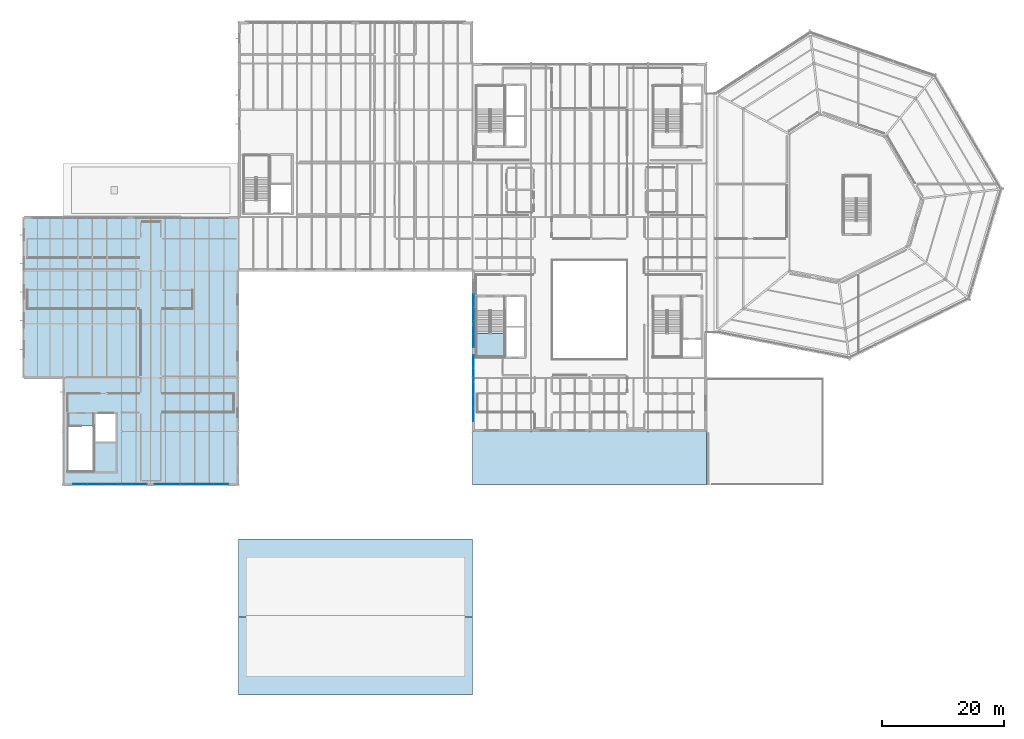
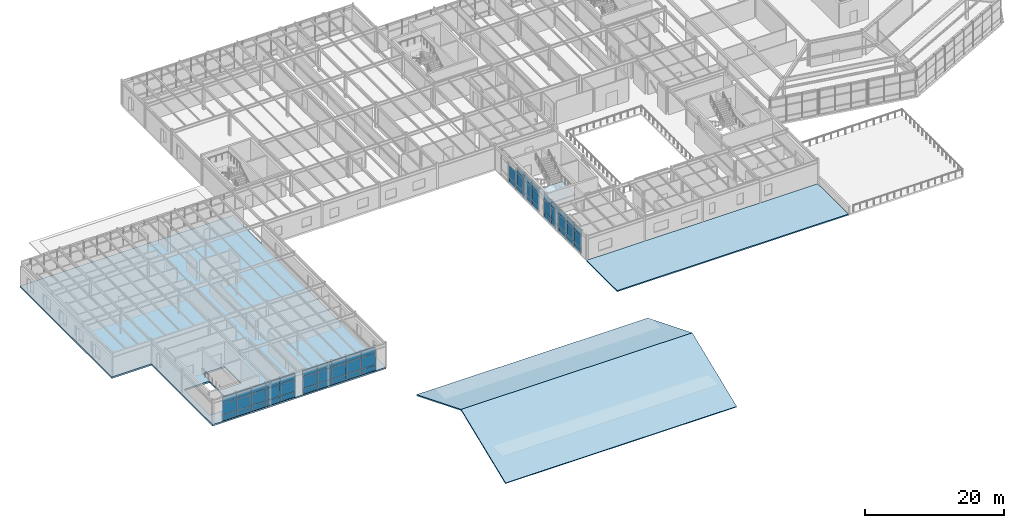
# One storey, part 38 of 69: 56 plates, 5 slabs, 5 elements without a shape of their own.
"""IFC4 building model written with IfcOpenShell, lengths in metres."""

from ifc_helpers import new_model, si_unit, direction, frame, origin, origin_2d, place, context, subcontext, project, spatial, polyline, rectangle, outline, extrude, material, layer, layer_set, type_object, element, aggregate, save


model = new_model("IFC4")

# Units and contexts
model_context = context("Model", 3, precision=1e-05, world=origin(), true_north=direction((0.0, 1.0)))
body_context = subcontext(model_context, "Body", "Model", "MODEL_VIEW")
ifc_project = project(units=[si_unit("LENGTHUNIT", "METRE"), si_unit("AREAUNIT", "SQUARE_METRE"), si_unit("VOLUMEUNIT", "CUBIC_METRE"), si_unit("PLANEANGLEUNIT", "RADIAN"), si_unit("MASSUNIT", "GRAM", prefix="KILO")], contexts=[model_context])

# Site, building, storey
site_placement = place(None, origin())
site = spatial("IfcSite", under=ifc_project, at=site_placement, CompositionType="ELEMENT")
building_placement = place(site_placement, origin())
building = spatial("IfcBuilding", under=site, at=building_placement, Name="Sarnbrook Museum", CompositionType="ELEMENT")
storey_placement = place(building_placement, frame((0.0, 0.0, 14.60009765625)))
storey = spatial("IfcBuildingStorey", under=building, at=storey_placement, Name="L03", CompositionType="ELEMENT", Elevation=14.60009765625)

# Curtain wall, plates
ifc_material_1 = material(Name="Thermally Broken Anodised Aluminium 6063-T6", Category="aluminium")
curtain_wall_type = type_object("IfcCurtainWallType", Name="CurtainWall_GalleryRibbon", PredefinedType="NOTDEFINED", material=ifc_material_1)
curtain_wall_1_placement = place(storey_placement, origin())
curtain_wall_1 = element("IfcCurtainWall", 1, at=curtain_wall_1_placement, inside=storey, type_object=curtain_wall_type, Name="Gallery Ribbon Curtain Wall L03-2.1", PredefinedType="NOTDEFINED")
ifc_material_2 = material(Name="Double-Glazed Low-Iron Laminated Safety Glass", Category="glass")
ifc_layer_1 = layer(ifc_material_2, 0.031982421875)
ifc_layer_set_1 = layer_set([ifc_layer_1], Name="Double-Glazed Low-Iron Laminated Safety Glass")
plate_type_1 = type_object("IfcPlateType", Name="CW_GlazedPanel_32", PredefinedType="CURTAIN_PANEL", material=ifc_layer_set_1)
plate_1_placement = place(storey_placement, frame((80.98779296875, 69.491943359375, 1.949951171875), z_axis=(-1.0, 0.0, 0.0), x_axis=(0.0, -1.0, 0.0)))
plate_1 = element("IfcPlate", 2, at=plate_1_placement, type_object=plate_type_1, Name="Gallery Ribbon Curtain Wall L03-2.1 Glazed Panel 2-2", PredefinedType="CURTAIN_PANEL", context=body_context, shape_type="SweptSolid", body=[
    extrude(rectangle(XDim=2.116943359375, YDim=2.030029296875, at=origin_2d()), origin(), (0.0, 0.0, 1.0), 0.031982421875),
])
plate_2_placement = place(storey_placement, frame((80.98779296875, 67.300048828125, 1.949951171875), z_axis=(-1.0, 0.0, 0.0), x_axis=(0.0, -1.0, 0.0)))
plate_2 = element("IfcPlate", 3, at=plate_2_placement, type_object=plate_type_1, Name="Gallery Ribbon Curtain Wall L03-2.1 Glazed Panel 3-2", PredefinedType="CURTAIN_PANEL", context=body_context, shape_type="SweptSolid", body=[
    extrude(rectangle(XDim=2.116943359375, YDim=2.030029296875, at=origin_2d()), origin(), (0.0, 0.0, 1.0), 0.031982421875),
])
plate_3_placement = place(storey_placement, frame((80.98779296875, 67.300048828125, 3.579833984375), z_axis=(-1.0, 0.0, 0.0), x_axis=(0.0, -1.0, 0.0)))
plate_3 = element("IfcPlate", 4, at=plate_3_placement, type_object=plate_type_1, Name="Gallery Ribbon Curtain Wall L03-2.1 Glazed Panel 3-3", PredefinedType="CURTAIN_PANEL", context=body_context, shape_type="SweptSolid", body=[
    extrude(rectangle(XDim=2.116943359375, YDim=1.090087890625, at=origin_2d()), origin(), (0.0, 0.0, 1.0), 0.031982421875),
])
plate_4_placement = place(storey_placement, frame((80.98779296875, 65.10791015625, 1.949951171875), z_axis=(-1.0, 0.0, 0.0), x_axis=(0.0, -1.0, 0.0)))
plate_4 = element("IfcPlate", 5, at=plate_4_placement, type_object=plate_type_1, Name="Gallery Ribbon Curtain Wall L03-2.1 Glazed Panel 4-2", PredefinedType="CURTAIN_PANEL", context=body_context, shape_type="SweptSolid", body=[
    extrude(rectangle(XDim=2.116943359375, YDim=2.030029296875, at=origin_2d()), origin(), (0.0, 0.0, 1.0), 0.031982421875),
])
plate_5_placement = place(storey_placement, frame((80.98779296875, 65.10791015625, 3.579833984375), z_axis=(-1.0, 0.0, 0.0), x_axis=(0.0, -1.0, 0.0)))
plate_5 = element("IfcPlate", 6, at=plate_5_placement, type_object=plate_type_1, Name="Gallery Ribbon Curtain Wall L03-2.1 Glazed Panel 4-3", PredefinedType="CURTAIN_PANEL", context=body_context, shape_type="SweptSolid", body=[
    extrude(rectangle(XDim=2.116943359375, YDim=1.090087890625, at=origin_2d()), origin(), (0.0, 0.0, 1.0), 0.031982421875),
])
plate_6_placement = place(storey_placement, frame((80.98779296875, 62.916015625, 1.949951171875), z_axis=(-1.0, 0.0, 0.0), x_axis=(0.0, -1.0, 0.0)))
plate_6 = element("IfcPlate", 7, at=plate_6_placement, type_object=plate_type_1, Name="Gallery Ribbon Curtain Wall L03-2.1 Glazed Panel 5-2", PredefinedType="CURTAIN_PANEL", context=body_context, shape_type="SweptSolid", body=[
    extrude(rectangle(XDim=2.116943359375, YDim=2.030029296875, at=origin_2d()), origin(), (0.0, 0.0, 1.0), 0.031982421875),
])
plate_7_placement = place(storey_placement, frame((80.98779296875, 62.916015625, 3.579833984375), z_axis=(-1.0, 0.0, 0.0), x_axis=(0.0, -1.0, 0.0)))
plate_7 = element("IfcPlate", 8, at=plate_7_placement, type_object=plate_type_1, Name="Gallery Ribbon Curtain Wall L03-2.1 Glazed Panel 5-3", PredefinedType="CURTAIN_PANEL", context=body_context, shape_type="SweptSolid", body=[
    extrude(rectangle(XDim=2.116943359375, YDim=1.090087890625, at=origin_2d()), origin(), (0.0, 0.0, 1.0), 0.031982421875),
])

curtain_wall_2_placement = place(storey_placement, origin())
curtain_wall_2 = element("IfcCurtainWall", 9, at=curtain_wall_2_placement, inside=storey, type_object=curtain_wall_type, Name="Gallery Ribbon Curtain Wall L03-2.2", PredefinedType="NOTDEFINED")
plate_8_placement = place(storey_placement, frame((80.98779296875, 59.48388671875, 1.949951171875), z_axis=(-1.0, 0.0, 0.0), x_axis=(0.0, -1.0, 0.0)))
plate_8 = element("IfcPlate", 10, at=plate_8_placement, type_object=plate_type_1, Name="Gallery Ribbon Curtain Wall L03-2.2 Glazed Panel 1-2", PredefinedType="CURTAIN_PANEL", context=body_context, shape_type="SweptSolid", body=[
    extrude(rectangle(XDim=2.116943359375, YDim=2.030029296875, at=origin_2d()), origin(), (0.0, 0.0, 1.0), 0.031982421875),
])
plate_9_placement = place(storey_placement, frame((80.98779296875, 59.48388671875, 3.579833984375), z_axis=(-1.0, 0.0, 0.0), x_axis=(0.0, -1.0, 0.0)))
plate_9 = element("IfcPlate", 11, at=plate_9_placement, type_object=plate_type_1, Name="Gallery Ribbon Curtain Wall L03-2.2 Glazed Panel 1-3", PredefinedType="CURTAIN_PANEL", context=body_context, shape_type="SweptSolid", body=[
    extrude(rectangle(XDim=2.116943359375, YDim=1.090087890625, at=origin_2d()), origin(), (0.0, 0.0, 1.0), 0.031982421875),
])
plate_10_placement = place(storey_placement, frame((80.98779296875, 57.2919921875, 1.949951171875), z_axis=(-1.0, 0.0, 0.0), x_axis=(0.0, -1.0, 0.0)))
plate_10 = element("IfcPlate", 12, at=plate_10_placement, type_object=plate_type_1, Name="Gallery Ribbon Curtain Wall L03-2.2 Glazed Panel 2-2", PredefinedType="CURTAIN_PANEL", context=body_context, shape_type="SweptSolid", body=[
    extrude(rectangle(XDim=2.116943359375, YDim=2.030029296875, at=origin_2d()), origin(), (0.0, 0.0, 1.0), 0.031982421875),
])
plate_11_placement = place(storey_placement, frame((80.98779296875, 57.2919921875, 3.579833984375), z_axis=(-1.0, 0.0, 0.0), x_axis=(0.0, -1.0, 0.0)))
plate_11 = element("IfcPlate", 13, at=plate_11_placement, type_object=plate_type_1, Name="Gallery Ribbon Curtain Wall L03-2.2 Glazed Panel 2-3", PredefinedType="CURTAIN_PANEL", context=body_context, shape_type="SweptSolid", body=[
    extrude(rectangle(XDim=2.116943359375, YDim=1.090087890625, at=origin_2d()), origin(), (0.0, 0.0, 1.0), 0.031982421875),
])
plate_12_placement = place(storey_placement, frame((80.98779296875, 55.10009765625, 1.949951171875), z_axis=(-1.0, 0.0, 0.0), x_axis=(0.0, -1.0, 0.0)))
plate_12 = element("IfcPlate", 14, at=plate_12_placement, type_object=plate_type_1, Name="Gallery Ribbon Curtain Wall L03-2.2 Glazed Panel 3-2", PredefinedType="CURTAIN_PANEL", context=body_context, shape_type="SweptSolid", body=[
    extrude(rectangle(XDim=2.116943359375, YDim=2.030029296875, at=origin_2d()), origin(), (0.0, 0.0, 1.0), 0.031982421875),
])
plate_13_placement = place(storey_placement, frame((80.98779296875, 55.10009765625, 3.579833984375), z_axis=(-1.0, 0.0, 0.0), x_axis=(0.0, -1.0, 0.0)))
plate_13 = element("IfcPlate", 15, at=plate_13_placement, type_object=plate_type_1, Name="Gallery Ribbon Curtain Wall L03-2.2 Glazed Panel 3-3", PredefinedType="CURTAIN_PANEL", context=body_context, shape_type="SweptSolid", body=[
    extrude(rectangle(XDim=2.116943359375, YDim=1.090087890625, at=origin_2d()), origin(), (0.0, 0.0, 1.0), 0.031982421875),
])
plate_14_placement = place(storey_placement, frame((80.98779296875, 52.907958984375, 1.949951171875), z_axis=(-1.0, 0.0, 0.0), x_axis=(0.0, -1.0, 0.0)))
plate_14 = element("IfcPlate", 16, at=plate_14_placement, type_object=plate_type_1, Name="Gallery Ribbon Curtain Wall L03-2.2 Glazed Panel 4-2", PredefinedType="CURTAIN_PANEL", context=body_context, shape_type="SweptSolid", body=[
    extrude(rectangle(XDim=2.116943359375, YDim=2.030029296875, at=origin_2d()), origin(), (0.0, 0.0, 1.0), 0.031982421875),
])
plate_15_placement = place(storey_placement, frame((80.98779296875, 52.907958984375, 3.579833984375), z_axis=(-1.0, 0.0, 0.0), x_axis=(0.0, -1.0, 0.0)))
plate_15 = element("IfcPlate", 17, at=plate_15_placement, type_object=plate_type_1, Name="Gallery Ribbon Curtain Wall L03-2.2 Glazed Panel 4-3", PredefinedType="CURTAIN_PANEL", context=body_context, shape_type="SweptSolid", body=[
    extrude(rectangle(XDim=2.116943359375, YDim=1.090087890625, at=origin_2d()), origin(), (0.0, 0.0, 1.0), 0.031982421875),
])
plate_16_placement = place(storey_placement, frame((80.98779296875, 50.716064453125, 1.949951171875), z_axis=(-1.0, 0.0, 0.0), x_axis=(0.0, -1.0, 0.0)))
plate_16 = element("IfcPlate", 18, at=plate_16_placement, type_object=plate_type_1, Name="Gallery Ribbon Curtain Wall L03-2.2 Glazed Panel 5-2", PredefinedType="CURTAIN_PANEL", context=body_context, shape_type="SweptSolid", body=[
    extrude(rectangle(XDim=2.116943359375, YDim=2.030029296875, at=origin_2d()), origin(), (0.0, 0.0, 1.0), 0.031982421875),
])
plate_17_placement = place(storey_placement, frame((80.98779296875, 50.716064453125, 3.579833984375), z_axis=(-1.0, 0.0, 0.0), x_axis=(0.0, -1.0, 0.0)))
plate_17 = element("IfcPlate", 19, at=plate_17_placement, type_object=plate_type_1, Name="Gallery Ribbon Curtain Wall L03-2.2 Glazed Panel 5-3", PredefinedType="CURTAIN_PANEL", context=body_context, shape_type="SweptSolid", body=[
    extrude(rectangle(XDim=2.116943359375, YDim=1.090087890625, at=origin_2d()), origin(), (0.0, 0.0, 1.0), 0.031982421875),
])

curtain_wall_3_placement = place(storey_placement, origin())
curtain_wall_3 = element("IfcCurtainWall", 20, at=curtain_wall_3_placement, inside=storey, type_object=curtain_wall_type, Name="Gallery Ribbon Curtain Wall L03-14.1", PredefinedType="NOTDEFINED")
plate_18_placement = place(storey_placement, frame((16.43603515625, 39.38818359375, 1.949951171875), z_axis=(0.0, -1.0, 0.0), x_axis=(1.0, 0.0, 0.0)))
plate_18 = element("IfcPlate", 21, at=plate_18_placement, type_object=plate_type_1, Name="Gallery Ribbon Curtain Wall L03-14.1 Glazed Panel 1-2", PredefinedType="CURTAIN_PANEL", context=body_context, shape_type="SweptSolid", body=[
    extrude(rectangle(XDim=2.35693359375, YDim=2.030029296875, at=origin_2d()), origin(), (0.0, 0.0, 1.0), 0.031982421875),
])
plate_19_placement = place(storey_placement, frame((16.43603515625, 39.38818359375, 3.579833984375), z_axis=(0.0, -1.0, 0.0), x_axis=(1.0, 0.0, 0.0)))
plate_19 = element("IfcPlate", 22, at=plate_19_placement, type_object=plate_type_1, Name="Gallery Ribbon Curtain Wall L03-14.1 Glazed Panel 1-3", PredefinedType="CURTAIN_PANEL", context=body_context, shape_type="SweptSolid", body=[
    extrude(rectangle(XDim=2.35693359375, YDim=1.090087890625, at=origin_2d()), origin(), (0.0, 0.0, 1.0), 0.031982421875),
])
plate_20_placement = place(storey_placement, frame((18.867919921875, 39.38818359375, 1.949951171875), z_axis=(0.0, -1.0, 0.0), x_axis=(1.0, 0.0, 0.0)))
plate_20 = element("IfcPlate", 23, at=plate_20_placement, type_object=plate_type_1, Name="Gallery Ribbon Curtain Wall L03-14.1 Glazed Panel 2-2", PredefinedType="CURTAIN_PANEL", context=body_context, shape_type="SweptSolid", body=[
    extrude(rectangle(XDim=2.35693359375, YDim=2.030029296875, at=origin_2d()), origin(), (0.0, 0.0, 1.0), 0.031982421875),
])
plate_21_placement = place(storey_placement, frame((18.867919921875, 39.38818359375, 3.579833984375), z_axis=(0.0, -1.0, 0.0), x_axis=(1.0, 0.0, 0.0)))
plate_21 = element("IfcPlate", 24, at=plate_21_placement, type_object=plate_type_1, Name="Gallery Ribbon Curtain Wall L03-14.1 Glazed Panel 2-3", PredefinedType="CURTAIN_PANEL", context=body_context, shape_type="SweptSolid", body=[
    extrude(rectangle(XDim=2.35693359375, YDim=1.090087890625, at=origin_2d()), origin(), (0.0, 0.0, 1.0), 0.031982421875),
])
plate_22_placement = place(storey_placement, frame((21.300048828125, 39.38818359375, 1.949951171875), z_axis=(0.0, -1.0, 0.0), x_axis=(1.0, 0.0, 0.0)))
plate_22 = element("IfcPlate", 25, at=plate_22_placement, type_object=plate_type_1, Name="Gallery Ribbon Curtain Wall L03-14.1 Glazed Panel 3-2", PredefinedType="CURTAIN_PANEL", context=body_context, shape_type="SweptSolid", body=[
    extrude(rectangle(XDim=2.35693359375, YDim=2.030029296875, at=origin_2d()), origin(), (0.0, 0.0, 1.0), 0.031982421875),
])
plate_23_placement = place(storey_placement, frame((21.300048828125, 39.38818359375, 3.579833984375), z_axis=(0.0, -1.0, 0.0), x_axis=(1.0, 0.0, 0.0)))
plate_23 = element("IfcPlate", 26, at=plate_23_placement, type_object=plate_type_1, Name="Gallery Ribbon Curtain Wall L03-14.1 Glazed Panel 3-3", PredefinedType="CURTAIN_PANEL", context=body_context, shape_type="SweptSolid", body=[
    extrude(rectangle(XDim=2.35693359375, YDim=1.090087890625, at=origin_2d()), origin(), (0.0, 0.0, 1.0), 0.031982421875),
])
plate_24_placement = place(storey_placement, frame((23.73193359375, 39.38818359375, 1.949951171875), z_axis=(0.0, -1.0, 0.0), x_axis=(1.0, 0.0, 0.0)))
plate_24 = element("IfcPlate", 27, at=plate_24_placement, type_object=plate_type_1, Name="Gallery Ribbon Curtain Wall L03-14.1 Glazed Panel 4-2", PredefinedType="CURTAIN_PANEL", context=body_context, shape_type="SweptSolid", body=[
    extrude(rectangle(XDim=2.35693359375, YDim=2.030029296875, at=origin_2d()), origin(), (0.0, 0.0, 1.0), 0.031982421875),
])
plate_25_placement = place(storey_placement, frame((23.73193359375, 39.38818359375, 3.579833984375), z_axis=(0.0, -1.0, 0.0), x_axis=(1.0, 0.0, 0.0)))
plate_25 = element("IfcPlate", 28, at=plate_25_placement, type_object=plate_type_1, Name="Gallery Ribbon Curtain Wall L03-14.1 Glazed Panel 4-3", PredefinedType="CURTAIN_PANEL", context=body_context, shape_type="SweptSolid", body=[
    extrude(rectangle(XDim=2.35693359375, YDim=1.090087890625, at=origin_2d()), origin(), (0.0, 0.0, 1.0), 0.031982421875),
])
plate_26_placement = place(storey_placement, frame((26.1640625, 39.38818359375, 1.949951171875), z_axis=(0.0, -1.0, 0.0), x_axis=(1.0, 0.0, 0.0)))
plate_26 = element("IfcPlate", 29, at=plate_26_placement, type_object=plate_type_1, Name="Gallery Ribbon Curtain Wall L03-14.1 Glazed Panel 5-2", PredefinedType="CURTAIN_PANEL", context=body_context, shape_type="SweptSolid", body=[
    extrude(rectangle(XDim=2.35693359375, YDim=2.030029296875, at=origin_2d()), origin(), (0.0, 0.0, 1.0), 0.031982421875),
])
plate_27_placement = place(storey_placement, frame((26.1640625, 39.38818359375, 3.579833984375), z_axis=(0.0, -1.0, 0.0), x_axis=(1.0, 0.0, 0.0)))
plate_27 = element("IfcPlate", 30, at=plate_27_placement, type_object=plate_type_1, Name="Gallery Ribbon Curtain Wall L03-14.1 Glazed Panel 5-3", PredefinedType="CURTAIN_PANEL", context=body_context, shape_type="SweptSolid", body=[
    extrude(rectangle(XDim=2.35693359375, YDim=1.090087890625, at=origin_2d()), origin(), (0.0, 0.0, 1.0), 0.031982421875),
])

curtain_wall_4_placement = place(storey_placement, origin())
curtain_wall_4 = element("IfcCurtainWall", 31, at=curtain_wall_4_placement, inside=storey, type_object=curtain_wall_type, Name="Gallery Ribbon Curtain Wall L03-14.2", PredefinedType="NOTDEFINED")
plate_28_placement = place(storey_placement, frame((29.8359375, 39.38818359375, 1.949951171875), z_axis=(0.0, -1.0, 0.0), x_axis=(1.0, 0.0, 0.0)))
plate_28 = element("IfcPlate", 32, at=plate_28_placement, type_object=plate_type_1, Name="Gallery Ribbon Curtain Wall L03-14.2 Glazed Panel 1-2", PredefinedType="CURTAIN_PANEL", context=body_context, shape_type="SweptSolid", body=[
    extrude(rectangle(XDim=2.35693359375, YDim=2.030029296875, at=origin_2d()), origin(), (0.0, 0.0, 1.0), 0.031982421875),
])
plate_29_placement = place(storey_placement, frame((29.8359375, 39.38818359375, 3.579833984375), z_axis=(0.0, -1.0, 0.0), x_axis=(1.0, 0.0, 0.0)))
plate_29 = element("IfcPlate", 33, at=plate_29_placement, type_object=plate_type_1, Name="Gallery Ribbon Curtain Wall L03-14.2 Glazed Panel 1-3", PredefinedType="CURTAIN_PANEL", context=body_context, shape_type="SweptSolid", body=[
    extrude(rectangle(XDim=2.35693359375, YDim=1.090087890625, at=origin_2d()), origin(), (0.0, 0.0, 1.0), 0.031982421875),
])
plate_30_placement = place(storey_placement, frame((32.26806640625, 39.38818359375, 1.949951171875), z_axis=(0.0, -1.0, 0.0), x_axis=(1.0, 0.0, 0.0)))
plate_30 = element("IfcPlate", 34, at=plate_30_placement, type_object=plate_type_1, Name="Gallery Ribbon Curtain Wall L03-14.2 Glazed Panel 2-2", PredefinedType="CURTAIN_PANEL", context=body_context, shape_type="SweptSolid", body=[
    extrude(rectangle(XDim=2.35693359375, YDim=2.030029296875, at=origin_2d()), origin(), (0.0, 0.0, 1.0), 0.031982421875),
])
plate_31_placement = place(storey_placement, frame((32.26806640625, 39.38818359375, 3.579833984375), z_axis=(0.0, -1.0, 0.0), x_axis=(1.0, 0.0, 0.0)))
plate_31 = element("IfcPlate", 35, at=plate_31_placement, type_object=plate_type_1, Name="Gallery Ribbon Curtain Wall L03-14.2 Glazed Panel 2-3", PredefinedType="CURTAIN_PANEL", context=body_context, shape_type="SweptSolid", body=[
    extrude(rectangle(XDim=2.35693359375, YDim=1.090087890625, at=origin_2d()), origin(), (0.0, 0.0, 1.0), 0.031982421875),
])
plate_32_placement = place(storey_placement, frame((34.699951171875, 39.38818359375, 1.949951171875), z_axis=(0.0, -1.0, 0.0), x_axis=(1.0, 0.0, 0.0)))
plate_32 = element("IfcPlate", 36, at=plate_32_placement, type_object=plate_type_1, Name="Gallery Ribbon Curtain Wall L03-14.2 Glazed Panel 3-2", PredefinedType="CURTAIN_PANEL", context=body_context, shape_type="SweptSolid", body=[
    extrude(rectangle(XDim=2.35693359375, YDim=2.030029296875, at=origin_2d()), origin(), (0.0, 0.0, 1.0), 0.031982421875),
])
plate_33_placement = place(storey_placement, frame((34.699951171875, 39.38818359375, 3.579833984375), z_axis=(0.0, -1.0, 0.0), x_axis=(1.0, 0.0, 0.0)))
plate_33 = element("IfcPlate", 37, at=plate_33_placement, type_object=plate_type_1, Name="Gallery Ribbon Curtain Wall L03-14.2 Glazed Panel 3-3", PredefinedType="CURTAIN_PANEL", context=body_context, shape_type="SweptSolid", body=[
    extrude(rectangle(XDim=2.35693359375, YDim=1.090087890625, at=origin_2d()), origin(), (0.0, 0.0, 1.0), 0.031982421875),
])
plate_34_placement = place(storey_placement, frame((37.132080078125, 39.38818359375, 1.949951171875), z_axis=(0.0, -1.0, 0.0), x_axis=(1.0, 0.0, 0.0)))
plate_34 = element("IfcPlate", 38, at=plate_34_placement, type_object=plate_type_1, Name="Gallery Ribbon Curtain Wall L03-14.2 Glazed Panel 4-2", PredefinedType="CURTAIN_PANEL", context=body_context, shape_type="SweptSolid", body=[
    extrude(rectangle(XDim=2.35693359375, YDim=2.030029296875, at=origin_2d()), origin(), (0.0, 0.0, 1.0), 0.031982421875),
])
plate_35_placement = place(storey_placement, frame((37.132080078125, 39.38818359375, 3.579833984375), z_axis=(0.0, -1.0, 0.0), x_axis=(1.0, 0.0, 0.0)))
plate_35 = element("IfcPlate", 39, at=plate_35_placement, type_object=plate_type_1, Name="Gallery Ribbon Curtain Wall L03-14.2 Glazed Panel 4-3", PredefinedType="CURTAIN_PANEL", context=body_context, shape_type="SweptSolid", body=[
    extrude(rectangle(XDim=2.35693359375, YDim=1.090087890625, at=origin_2d()), origin(), (0.0, 0.0, 1.0), 0.031982421875),
])
plate_36_placement = place(storey_placement, frame((39.56396484375, 39.38818359375, 1.949951171875), z_axis=(0.0, -1.0, 0.0), x_axis=(1.0, 0.0, 0.0)))
plate_36 = element("IfcPlate", 40, at=plate_36_placement, type_object=plate_type_1, Name="Gallery Ribbon Curtain Wall L03-14.2 Glazed Panel 5-2", PredefinedType="CURTAIN_PANEL", context=body_context, shape_type="SweptSolid", body=[
    extrude(rectangle(XDim=2.35693359375, YDim=2.030029296875, at=origin_2d()), origin(), (0.0, 0.0, 1.0), 0.031982421875),
])
plate_37_placement = place(storey_placement, frame((39.56396484375, 39.38818359375, 3.579833984375), z_axis=(0.0, -1.0, 0.0), x_axis=(1.0, 0.0, 0.0)))
plate_37 = element("IfcPlate", 41, at=plate_37_placement, type_object=plate_type_1, Name="Gallery Ribbon Curtain Wall L03-14.2 Glazed Panel 5-3", PredefinedType="CURTAIN_PANEL", context=body_context, shape_type="SweptSolid", body=[
    extrude(rectangle(XDim=2.35693359375, YDim=1.090087890625, at=origin_2d()), origin(), (0.0, 0.0, 1.0), 0.031982421875),
])

# Plate
ifc_material_3 = material(Name="Patinated Architectural Bronze")
ifc_layer_2 = layer(ifc_material_3, 0.044921875)
ifc_layer_set_2 = layer_set([ifc_layer_2], Name="Patinated Architectural Bronze")
plate_type_2 = type_object("IfcPlateType", Name="CW_SpandrelPanel_45", PredefinedType="CURTAIN_PANEL", material=ifc_layer_set_2)
plate_38_placement = place(storey_placement, frame((80.994384765625, 69.491943359375, 0.449951171875), z_axis=(-1.0, 0.0, 0.0), x_axis=(0.0, -1.0, 0.0)))
plate_38 = element("IfcPlate", 42, at=plate_38_placement, type_object=plate_type_2, Name="Gallery Ribbon Curtain Wall L03-2.1 Spandrel Panel 2-1", PredefinedType="CURTAIN_PANEL", context=body_context, shape_type="SweptSolid", body=[
    extrude(rectangle(XDim=2.116943359375, YDim=0.830078125, at=origin_2d()), origin(), (0.0, 0.0, 1.0), 0.044921875),
])

plate_39_placement = place(storey_placement, frame((80.994384765625, 67.300048828125, 0.449951171875), z_axis=(-1.0, 0.0, 0.0), x_axis=(0.0, -1.0, 0.0)))
plate_39 = element("IfcPlate", 43, at=plate_39_placement, type_object=plate_type_2, Name="Gallery Ribbon Curtain Wall L03-2.1 Spandrel Panel 3-1", PredefinedType="CURTAIN_PANEL", context=body_context, shape_type="SweptSolid", body=[
    extrude(rectangle(XDim=2.116943359375, YDim=0.830078125, at=origin_2d()), origin(), (0.0, 0.0, 1.0), 0.044921875),
])

plate_40_placement = place(storey_placement, frame((80.994384765625, 65.10791015625, 0.449951171875), z_axis=(-1.0, 0.0, 0.0), x_axis=(0.0, -1.0, 0.0)))
plate_40 = element("IfcPlate", 44, at=plate_40_placement, type_object=plate_type_2, Name="Gallery Ribbon Curtain Wall L03-2.1 Spandrel Panel 4-1", PredefinedType="CURTAIN_PANEL", context=body_context, shape_type="SweptSolid", body=[
    extrude(rectangle(XDim=2.116943359375, YDim=0.830078125, at=origin_2d()), origin(), (0.0, 0.0, 1.0), 0.044921875),
])

plate_41_placement = place(storey_placement, frame((80.994384765625, 62.916015625, 0.449951171875), z_axis=(-1.0, 0.0, 0.0), x_axis=(0.0, -1.0, 0.0)))
plate_41 = element("IfcPlate", 45, at=plate_41_placement, type_object=plate_type_2, Name="Gallery Ribbon Curtain Wall L03-2.1 Spandrel Panel 5-1", PredefinedType="CURTAIN_PANEL", context=body_context, shape_type="SweptSolid", body=[
    extrude(rectangle(XDim=2.116943359375, YDim=0.830078125, at=origin_2d()), origin(), (0.0, 0.0, 1.0), 0.044921875),
])

aggregate(curtain_wall_1, [plate_38, plate_1, plate_39, plate_2, plate_3, plate_40, plate_4, plate_5, plate_41, plate_6, plate_7])

plate_42_placement = place(storey_placement, frame((80.994384765625, 59.48388671875, 0.449951171875), z_axis=(-1.0, 0.0, 0.0), x_axis=(0.0, -1.0, 0.0)))
plate_42 = element("IfcPlate", 46, at=plate_42_placement, type_object=plate_type_2, Name="Gallery Ribbon Curtain Wall L03-2.2 Spandrel Panel 1-1", PredefinedType="CURTAIN_PANEL", context=body_context, shape_type="SweptSolid", body=[
    extrude(rectangle(XDim=2.116943359375, YDim=0.830078125, at=origin_2d()), origin(), (0.0, 0.0, 1.0), 0.044921875),
])

plate_43_placement = place(storey_placement, frame((80.994384765625, 57.2919921875, 0.449951171875), z_axis=(-1.0, 0.0, 0.0), x_axis=(0.0, -1.0, 0.0)))
plate_43 = element("IfcPlate", 47, at=plate_43_placement, type_object=plate_type_2, Name="Gallery Ribbon Curtain Wall L03-2.2 Spandrel Panel 2-1", PredefinedType="CURTAIN_PANEL", context=body_context, shape_type="SweptSolid", body=[
    extrude(rectangle(XDim=2.116943359375, YDim=0.830078125, at=origin_2d()), origin(), (0.0, 0.0, 1.0), 0.044921875),
])

plate_44_placement = place(storey_placement, frame((80.994384765625, 55.10009765625, 0.449951171875), z_axis=(-1.0, 0.0, 0.0), x_axis=(0.0, -1.0, 0.0)))
plate_44 = element("IfcPlate", 48, at=plate_44_placement, type_object=plate_type_2, Name="Gallery Ribbon Curtain Wall L03-2.2 Spandrel Panel 3-1", PredefinedType="CURTAIN_PANEL", context=body_context, shape_type="SweptSolid", body=[
    extrude(rectangle(XDim=2.116943359375, YDim=0.830078125, at=origin_2d()), origin(), (0.0, 0.0, 1.0), 0.044921875),
])

plate_45_placement = place(storey_placement, frame((80.994384765625, 52.907958984375, 0.449951171875), z_axis=(-1.0, 0.0, 0.0), x_axis=(0.0, -1.0, 0.0)))
plate_45 = element("IfcPlate", 49, at=plate_45_placement, type_object=plate_type_2, Name="Gallery Ribbon Curtain Wall L03-2.2 Spandrel Panel 4-1", PredefinedType="CURTAIN_PANEL", context=body_context, shape_type="SweptSolid", body=[
    extrude(rectangle(XDim=2.116943359375, YDim=0.830078125, at=origin_2d()), origin(), (0.0, 0.0, 1.0), 0.044921875),
])

plate_46_placement = place(storey_placement, frame((80.994384765625, 50.716064453125, 0.449951171875), z_axis=(-1.0, 0.0, 0.0), x_axis=(0.0, -1.0, 0.0)))
plate_46 = element("IfcPlate", 50, at=plate_46_placement, type_object=plate_type_2, Name="Gallery Ribbon Curtain Wall L03-2.2 Spandrel Panel 5-1", PredefinedType="CURTAIN_PANEL", context=body_context, shape_type="SweptSolid", body=[
    extrude(rectangle(XDim=2.116943359375, YDim=0.830078125, at=origin_2d()), origin(), (0.0, 0.0, 1.0), 0.044921875),
])

aggregate(curtain_wall_2, [plate_42, plate_8, plate_9, plate_43, plate_10, plate_11, plate_44, plate_12, plate_13, plate_45, plate_14, plate_15, plate_46, plate_16, plate_17])

plate_47_placement = place(storey_placement, frame((16.43603515625, 39.39453125, 0.449951171875), z_axis=(0.0, -1.0, 0.0), x_axis=(1.0, 0.0, 0.0)))
plate_47 = element("IfcPlate", 51, at=plate_47_placement, type_object=plate_type_2, Name="Gallery Ribbon Curtain Wall L03-14.1 Spandrel Panel 1-1", PredefinedType="CURTAIN_PANEL", context=body_context, shape_type="SweptSolid", body=[
    extrude(rectangle(XDim=2.35693359375, YDim=0.830078125, at=origin_2d()), origin(), (0.0, 0.0, 1.0), 0.044921875),
])

plate_48_placement = place(storey_placement, frame((18.867919921875, 39.39453125, 0.449951171875), z_axis=(0.0, -1.0, 0.0), x_axis=(1.0, 0.0, 0.0)))
plate_48 = element("IfcPlate", 52, at=plate_48_placement, type_object=plate_type_2, Name="Gallery Ribbon Curtain Wall L03-14.1 Spandrel Panel 2-1", PredefinedType="CURTAIN_PANEL", context=body_context, shape_type="SweptSolid", body=[
    extrude(rectangle(XDim=2.35693359375, YDim=0.830078125, at=origin_2d()), origin(), (0.0, 0.0, 1.0), 0.044921875),
])

plate_49_placement = place(storey_placement, frame((21.300048828125, 39.39453125, 0.449951171875), z_axis=(0.0, -1.0, 0.0), x_axis=(1.0, 0.0, 0.0)))
plate_49 = element("IfcPlate", 53, at=plate_49_placement, type_object=plate_type_2, Name="Gallery Ribbon Curtain Wall L03-14.1 Spandrel Panel 3-1", PredefinedType="CURTAIN_PANEL", context=body_context, shape_type="SweptSolid", body=[
    extrude(rectangle(XDim=2.35693359375, YDim=0.830078125, at=origin_2d()), origin(), (0.0, 0.0, 1.0), 0.044921875),
])

plate_50_placement = place(storey_placement, frame((23.73193359375, 39.39453125, 0.449951171875), z_axis=(0.0, -1.0, 0.0), x_axis=(1.0, 0.0, 0.0)))
plate_50 = element("IfcPlate", 54, at=plate_50_placement, type_object=plate_type_2, Name="Gallery Ribbon Curtain Wall L03-14.1 Spandrel Panel 4-1", PredefinedType="CURTAIN_PANEL", context=body_context, shape_type="SweptSolid", body=[
    extrude(rectangle(XDim=2.35693359375, YDim=0.830078125, at=origin_2d()), origin(), (0.0, 0.0, 1.0), 0.044921875),
])

plate_51_placement = place(storey_placement, frame((26.1640625, 39.39453125, 0.449951171875), z_axis=(0.0, -1.0, 0.0), x_axis=(1.0, 0.0, 0.0)))
plate_51 = element("IfcPlate", 55, at=plate_51_placement, type_object=plate_type_2, Name="Gallery Ribbon Curtain Wall L03-14.1 Spandrel Panel 5-1", PredefinedType="CURTAIN_PANEL", context=body_context, shape_type="SweptSolid", body=[
    extrude(rectangle(XDim=2.35693359375, YDim=0.830078125, at=origin_2d()), origin(), (0.0, 0.0, 1.0), 0.044921875),
])

aggregate(curtain_wall_3, [plate_47, plate_18, plate_19, plate_48, plate_20, plate_21, plate_49, plate_22, plate_23, plate_50, plate_24, plate_25, plate_51, plate_26, plate_27])

plate_52_placement = place(storey_placement, frame((29.8359375, 39.39453125, 0.449951171875), z_axis=(0.0, -1.0, 0.0), x_axis=(1.0, 0.0, 0.0)))
plate_52 = element("IfcPlate", 56, at=plate_52_placement, type_object=plate_type_2, Name="Gallery Ribbon Curtain Wall L03-14.2 Spandrel Panel 1-1", PredefinedType="CURTAIN_PANEL", context=body_context, shape_type="SweptSolid", body=[
    extrude(rectangle(XDim=2.35693359375, YDim=0.830078125, at=origin_2d()), origin(), (0.0, 0.0, 1.0), 0.044921875),
])

plate_53_placement = place(storey_placement, frame((32.26806640625, 39.39453125, 0.449951171875), z_axis=(0.0, -1.0, 0.0), x_axis=(1.0, 0.0, 0.0)))
plate_53 = element("IfcPlate", 57, at=plate_53_placement, type_object=plate_type_2, Name="Gallery Ribbon Curtain Wall L03-14.2 Spandrel Panel 2-1", PredefinedType="CURTAIN_PANEL", context=body_context, shape_type="SweptSolid", body=[
    extrude(rectangle(XDim=2.35693359375, YDim=0.830078125, at=origin_2d()), origin(), (0.0, 0.0, 1.0), 0.044921875),
])

plate_54_placement = place(storey_placement, frame((34.699951171875, 39.39453125, 0.449951171875), z_axis=(0.0, -1.0, 0.0), x_axis=(1.0, 0.0, 0.0)))
plate_54 = element("IfcPlate", 58, at=plate_54_placement, type_object=plate_type_2, Name="Gallery Ribbon Curtain Wall L03-14.2 Spandrel Panel 3-1", PredefinedType="CURTAIN_PANEL", context=body_context, shape_type="SweptSolid", body=[
    extrude(rectangle(XDim=2.35693359375, YDim=0.830078125, at=origin_2d()), origin(), (0.0, 0.0, 1.0), 0.044921875),
])

plate_55_placement = place(storey_placement, frame((37.132080078125, 39.39453125, 0.449951171875), z_axis=(0.0, -1.0, 0.0), x_axis=(1.0, 0.0, 0.0)))
plate_55 = element("IfcPlate", 59, at=plate_55_placement, type_object=plate_type_2, Name="Gallery Ribbon Curtain Wall L03-14.2 Spandrel Panel 4-1", PredefinedType="CURTAIN_PANEL", context=body_context, shape_type="SweptSolid", body=[
    extrude(rectangle(XDim=2.35693359375, YDim=0.830078125, at=origin_2d()), origin(), (0.0, 0.0, 1.0), 0.044921875),
])

plate_56_placement = place(storey_placement, frame((39.56396484375, 39.39453125, 0.449951171875), z_axis=(0.0, -1.0, 0.0), x_axis=(1.0, 0.0, 0.0)))
plate_56 = element("IfcPlate", 60, at=plate_56_placement, type_object=plate_type_2, Name="Gallery Ribbon Curtain Wall L03-14.2 Spandrel Panel 5-1", PredefinedType="CURTAIN_PANEL", context=body_context, shape_type="SweptSolid", body=[
    extrude(rectangle(XDim=2.35693359375, YDim=0.830078125, at=origin_2d()), origin(), (0.0, 0.0, 1.0), 0.044921875),
])

aggregate(curtain_wall_4, [plate_52, plate_28, plate_29, plate_53, plate_30, plate_31, plate_54, plate_32, plate_33, plate_55, plate_34, plate_35, plate_56, plate_36, plate_37])

# Slab
ifc_material_4 = material(Name="Concrete N40 (AS 3600, f'c = 40 MPa)", Category="concrete")
ifc_layer_3 = layer(ifc_material_4, 0.280029296875)
ifc_layer_set_3 = layer_set([ifc_layer_3], Name="Concrete N40 (AS 3600, f'c = 40 MPa)")
slab_type_1 = type_object("IfcSlabType", Name="FloorSlab_280", PredefinedType="FLOOR", material=ifc_layer_set_3)
slab_1_placement = place(storey_placement, frame((0.0, 0.0, -0.280029296875)))
element("IfcSlab", 61, at=slab_1_placement, inside=storey, type_object=slab_type_1, Name="V4 Structural Slab L03", PredefinedType="FLOOR", context=body_context, shape_type="SweptSolid", body=[
    extrude(outline(polyline([(7.0, 83.199951171875), (42.39990234375, 83.199951171875), (42.39990234375, 39.199951171875), (13.60009765625, 39.199951171875), (13.60009765625, 56.800048828125), (7.0, 56.800048828125), (7.0, 83.199951171875)]), holes=[polyline([(18.639892578125, 41.5), (14.43994140625, 41.5), (14.43994140625, 48.879638671875), (18.639892578125, 48.879638671875), (18.639892578125, 41.5)]), polyline([(22.39990234375, 46.179931640625), (18.780029296875, 46.179931640625), (18.780029296875, 51.0), (22.39990234375, 51.0), (22.39990234375, 46.179931640625)])]), origin(), (0.0, 0.0, 1.0), 0.280029296875),
])

# Stair, slab
stair_type = type_object("IfcStairType", Name="Stair_ST03", PredefinedType="HALF_TURN_STAIR", material=ifc_material_4)
stair_placement = place(storey_placement, origin())
stair = element("IfcStair", 62, at=stair_placement, inside=storey, type_object=stair_type, Name="L03 Exit Stair ST3", PredefinedType="HALF_TURN_STAIR")
ifc_layer_4 = layer(ifc_material_4, 0.199951171875)
ifc_layer_set_4 = layer_set([ifc_layer_4], Name="Concrete N40 (AS 3600, f'c = 40 MPa)")
slab_type_2 = type_object("IfcSlabType", Name="Landing_200", PredefinedType="LANDING", material=ifc_layer_set_4)
slab_2_placement = place(storey_placement, frame((0.0, 0.0, 2.0498046875)))
slab_2 = element("IfcSlab", 63, at=slab_2_placement, type_object=slab_type_2, Name="ST3 landing 1", PredefinedType="LANDING", context=body_context, shape_type="SweptSolid", body=[
    extrude(outline(polyline([(81.43994140625, 64.110107421875), (81.43994140625, 60.300048828125), (86.06005859375, 60.300048828125), (86.06005859375, 64.110107421875), (81.43994140625, 64.110107421875)])), origin(), (0.0, 0.0, 1.0), 0.2001953125),
])
aggregate(stair, [slab_2])

# Slabs
ifc_layer_5 = layer(ifc_material_4, 0.2099609375)
ifc_layer_set_5 = layer_set([ifc_layer_5], Name="Concrete N40 (AS 3600, f'c = 40 MPa)")
slab_type_3 = type_object("IfcSlabType", Name="RoofSlab_Zinc210", PredefinedType="ROOF", material=ifc_layer_set_5)
slab_3_placement = place(storey_placement, frame((0.0, 0.0, -0.210205078125)))
element("IfcSlab", 64, at=slab_3_placement, inside=storey, type_object=slab_type_3, Name="Concourse Stepped South Roof Slab L03", PredefinedType="ROOF", context=body_context, shape_type="SweptSolid", body=[
    extrude(outline(polyline([(80.800048828125, 39.199951171875), (80.800048828125, 48.0), (80.8310546875, 48.0), (80.8310546875, 47.99609375), (119.196044921875, 47.99609375), (119.196044921875, 39.199951171875), (80.800048828125, 39.199951171875)])), origin(), (0.0, 0.0, 1.0), 0.210205078125),
])
slab_4_placement = place(storey_placement, frame((42.39990234375, 4.800048828125, 0.52001953125), z_axis=(0.0, -0.37462649382, 0.927175814033), x_axis=(1.0, 0.0, 0.0)))
element("IfcSlab", 65, at=slab_4_placement, inside=storey, type_object=slab_type_3, Name="Auditorium South Pitched Roof Slab", PredefinedType="ROOF", context=body_context, shape_type="SweptSolid", body=[
    extrude(outline(polyline([(0.0, 0.0), (38.400146484375, 0.0), (38.400146484375, 13.805417089606859), (0.0, 13.805417089606859), (0.0, 0.0)])), origin(), (0.0, 0.0, -1.0), 0.2099609375),
])
slab_5_placement = place(storey_placement, frame((42.39990234375, 17.60009765625, 5.69189453125), z_axis=(0.0, 0.374632636496, 0.927173332054), x_axis=(1.0, 0.0, 0.0)))
element("IfcSlab", 66, at=slab_5_placement, inside=storey, type_object=slab_type_3, Name="Auditorium North Pitched Roof Slab", PredefinedType="ROOF", context=body_context, shape_type="SweptSolid", body=[
    extrude(outline(polyline([(0.0, 0.0), (38.400146484375, 0.0), (38.400146484375, 13.805190728627112), (0.0, 13.805190728627112), (0.0, 0.0)])), origin(), (0.0, 0.0, -1.0), 0.2099609375),
])

save(model, "model.ifc")
